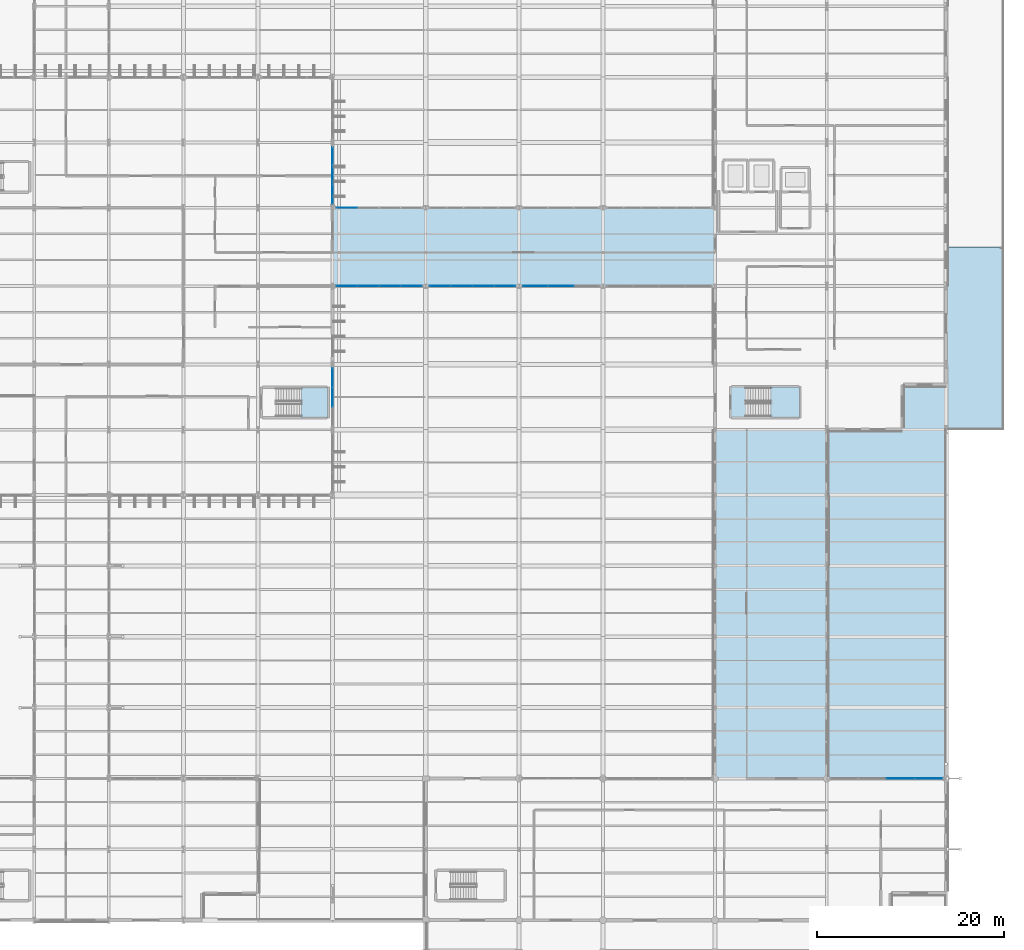
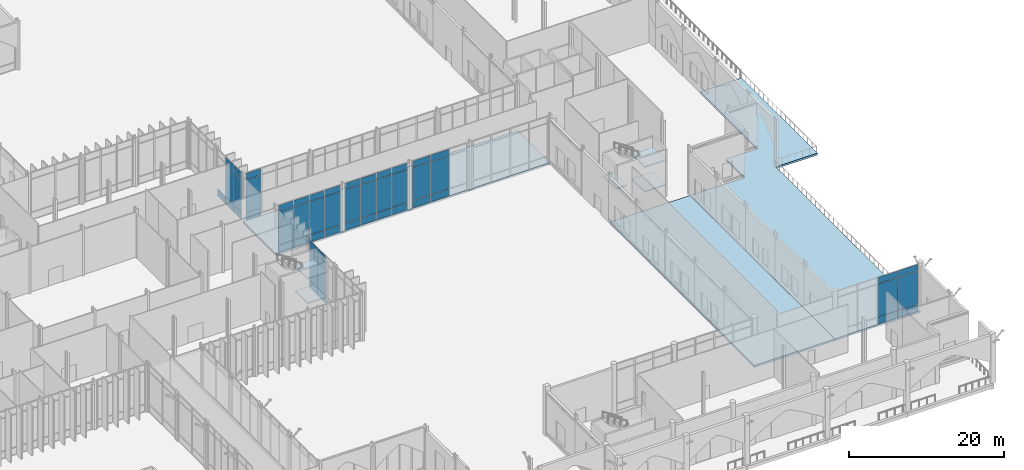
# One storey, part 123 of 176: 52 plates, 8 slabs, 9 elements without a shape of their own.
"""IFC4 building model written with IfcOpenShell, lengths in metres."""

from ifc_helpers import new_model, si_unit, direction, frame, origin, origin_2d, place, context, subcontext, project, spatial, polyline, rectangle, outline, extrude, material, layer, layer_set, type_object, element, aggregate, save


model = new_model("IFC4")

# Units and contexts
model_context = context("Model", 3, precision=1e-05, world=origin(), true_north=direction((0.0, 1.0)))
body_context = subcontext(model_context, "Body", "Model", "MODEL_VIEW")
ifc_project = project(units=[si_unit("LENGTHUNIT", "METRE"), si_unit("AREAUNIT", "SQUARE_METRE"), si_unit("VOLUMEUNIT", "CUBIC_METRE"), si_unit("PLANEANGLEUNIT", "RADIAN"), si_unit("MASSUNIT", "GRAM", prefix="KILO")], contexts=[model_context])

# Site, building, storey
site_placement = place(None, origin())
site = spatial("IfcSite", under=ifc_project, at=site_placement, CompositionType="ELEMENT")
building_placement = place(site_placement, origin())
building = spatial("IfcBuilding", under=site, at=building_placement, Name="Vekula Escarpment Museum", CompositionType="ELEMENT")
storey_placement = place(building_placement, origin())
storey = spatial("IfcBuildingStorey", under=building, at=storey_placement, Name="L01", CompositionType="ELEMENT", Elevation=0.0)

# Curtain wall, plates
ifc_material_1 = material(Name="Aluminium thermally broken framing", Category="aluminium")
ifc_layer_1 = layer(ifc_material_1, 0.159912109375)
ifc_layer_set_1 = layer_set([ifc_layer_1], Name="Aluminium thermally broken framing")
curtain_wall_type_1 = type_object("IfcCurtainWallType", Name="CW-SYS-02", PredefinedType="NOTDEFINED", material=ifc_layer_set_1)
curtain_wall_1_placement = place(storey_placement, origin())
curtain_wall_1 = element("IfcCurtainWall", 1, at=curtain_wall_1_placement, inside=storey, type_object=curtain_wall_type_1, Name="Curtain Wall CW-L01-012", PredefinedType="NOTDEFINED")
ifc_material_2 = material(Name="Double solar-control low-E glass", Category="glass")
ifc_layer_2 = layer(ifc_material_2, 0.028076171875)
ifc_layer_set_2 = layer_set([ifc_layer_2], Name="Double solar-control low-E glass")
plate_type_1 = type_object("IfcPlateType", Name="CW-PNL-28", PredefinedType="CURTAIN_PANEL", material=ifc_layer_set_2)
plate_1_placement = place(storey_placement, frame((127.5361328125, 68.0, 0.06494140625), z_axis=(0.0, 0.0, 1.0), x_axis=(1.0, 0.0, 0.0)))
plate_1 = element("IfcPlate", 2, at=plate_1_placement, type_object=plate_type_1, Name="CW-02 panel 1.1", PredefinedType="CURTAIN_PANEL", context=body_context, shape_type="SweptSolid", body=[
    extrude(rectangle(XDim=2.222412109375, YDim=0.028076171875, at=origin_2d()), origin(), (0.0, 0.0, 1.0), 1.1025390625),
])
plate_2_placement = place(storey_placement, frame((127.5361328125, 68.0, 1.232421875), z_axis=(0.0, 0.0, 1.0), x_axis=(1.0, 0.0, 0.0)))
plate_2 = element("IfcPlate", 3, at=plate_2_placement, type_object=plate_type_1, Name="CW-02 panel 1.2", PredefinedType="CURTAIN_PANEL", context=body_context, shape_type="SweptSolid", body=[
    extrude(rectangle(XDim=2.222412109375, YDim=0.028076171875, at=origin_2d()), origin(), (0.0, 0.0, 1.0), 5.175048828125),
])
plate_3_placement = place(storey_placement, frame((127.5361328125, 68.0, 6.472412109375), z_axis=(0.0, 0.0, 1.0), x_axis=(1.0, 0.0, 0.0)))
plate_3 = element("IfcPlate", 4, at=plate_3_placement, type_object=plate_type_1, Name="CW-02 panel 1.3", PredefinedType="CURTAIN_PANEL", context=body_context, shape_type="SweptSolid", body=[
    extrude(rectangle(XDim=2.222412109375, YDim=0.028076171875, at=origin_2d()), origin(), (0.0, 0.0, 1.0), 1.00244140625),
])
plate_4_placement = place(storey_placement, frame((129.840087890625, 68.0, 0.06494140625), z_axis=(0.0, 0.0, 1.0), x_axis=(1.0, 0.0, 0.0)))
plate_4 = element("IfcPlate", 5, at=plate_4_placement, type_object=plate_type_1, Name="CW-02 panel 2.1", PredefinedType="CURTAIN_PANEL", context=body_context, shape_type="SweptSolid", body=[
    extrude(rectangle(XDim=2.2548828125, YDim=0.028076171875, at=origin_2d()), origin(), (0.0, 0.0, 1.0), 1.1025390625),
])
plate_5_placement = place(storey_placement, frame((129.840087890625, 68.0, 1.232421875), z_axis=(0.0, 0.0, 1.0), x_axis=(1.0, 0.0, 0.0)))
plate_5 = element("IfcPlate", 6, at=plate_5_placement, type_object=plate_type_1, Name="CW-02 panel 2.2", PredefinedType="CURTAIN_PANEL", context=body_context, shape_type="SweptSolid", body=[
    extrude(rectangle(XDim=2.2548828125, YDim=0.028076171875, at=origin_2d()), origin(), (0.0, 0.0, 1.0), 5.175048828125),
])
plate_6_placement = place(storey_placement, frame((129.840087890625, 68.0, 6.472412109375), z_axis=(0.0, 0.0, 1.0), x_axis=(1.0, 0.0, 0.0)))
plate_6 = element("IfcPlate", 7, at=plate_6_placement, type_object=plate_type_1, Name="CW-02 panel 2.3", PredefinedType="CURTAIN_PANEL", context=body_context, shape_type="SweptSolid", body=[
    extrude(rectangle(XDim=2.2548828125, YDim=0.028076171875, at=origin_2d()), origin(), (0.0, 0.0, 1.0), 1.00244140625),
])
plate_7_placement = place(storey_placement, frame((132.159912109375, 68.0, 0.06494140625), z_axis=(0.0, 0.0, 1.0), x_axis=(1.0, 0.0, 0.0)))
plate_7 = element("IfcPlate", 8, at=plate_7_placement, type_object=plate_type_1, Name="CW-02 panel 3.1", PredefinedType="CURTAIN_PANEL", context=body_context, shape_type="SweptSolid", body=[
    extrude(rectangle(XDim=2.2548828125, YDim=0.028076171875, at=origin_2d()), origin(), (0.0, 0.0, 1.0), 1.1025390625),
])
plate_8_placement = place(storey_placement, frame((132.159912109375, 68.0, 1.232421875), z_axis=(0.0, 0.0, 1.0), x_axis=(1.0, 0.0, 0.0)))
plate_8 = element("IfcPlate", 9, at=plate_8_placement, type_object=plate_type_1, Name="CW-02 panel 3.2", PredefinedType="CURTAIN_PANEL", context=body_context, shape_type="SweptSolid", body=[
    extrude(rectangle(XDim=2.2548828125, YDim=0.028076171875, at=origin_2d()), origin(), (0.0, 0.0, 1.0), 5.175048828125),
])
plate_9_placement = place(storey_placement, frame((132.159912109375, 68.0, 6.472412109375), z_axis=(0.0, 0.0, 1.0), x_axis=(1.0, 0.0, 0.0)))
plate_9 = element("IfcPlate", 10, at=plate_9_placement, type_object=plate_type_1, Name="CW-02 panel 3.3", PredefinedType="CURTAIN_PANEL", context=body_context, shape_type="SweptSolid", body=[
    extrude(rectangle(XDim=2.2548828125, YDim=0.028076171875, at=origin_2d()), origin(), (0.0, 0.0, 1.0), 1.00244140625),
])
plate_10_placement = place(storey_placement, frame((134.4638671875, 68.0, 0.06494140625), z_axis=(0.0, 0.0, 1.0), x_axis=(1.0, 0.0, 0.0)))
plate_10 = element("IfcPlate", 11, at=plate_10_placement, type_object=plate_type_1, Name="CW-02 panel 4.1", PredefinedType="CURTAIN_PANEL", context=body_context, shape_type="SweptSolid", body=[
    extrude(rectangle(XDim=2.222412109375, YDim=0.028076171875, at=origin_2d()), origin(), (0.0, 0.0, 1.0), 1.1025390625),
])
plate_11_placement = place(storey_placement, frame((134.4638671875, 68.0, 1.232421875), z_axis=(0.0, 0.0, 1.0), x_axis=(1.0, 0.0, 0.0)))
plate_11 = element("IfcPlate", 12, at=plate_11_placement, type_object=plate_type_1, Name="CW-02 panel 4.2", PredefinedType="CURTAIN_PANEL", context=body_context, shape_type="SweptSolid", body=[
    extrude(rectangle(XDim=2.222412109375, YDim=0.028076171875, at=origin_2d()), origin(), (0.0, 0.0, 1.0), 5.175048828125),
])
plate_12_placement = place(storey_placement, frame((134.4638671875, 68.0, 6.472412109375), z_axis=(0.0, 0.0, 1.0), x_axis=(1.0, 0.0, 0.0)))
plate_12 = element("IfcPlate", 13, at=plate_12_placement, type_object=plate_type_1, Name="CW-02 panel 4.3", PredefinedType="CURTAIN_PANEL", context=body_context, shape_type="SweptSolid", body=[
    extrude(rectangle(XDim=2.222412109375, YDim=0.028076171875, at=origin_2d()), origin(), (0.0, 0.0, 1.0), 1.00244140625),
])
aggregate(curtain_wall_1, [plate_1, plate_2, plate_3, plate_4, plate_5, plate_6, plate_7, plate_8, plate_9, plate_10, plate_11, plate_12])

ifc_material_3 = material(Name="Aluminium thermally broken framing", Category="aluminium")
ifc_layer_3 = layer(ifc_material_3, 0.199951171875)
ifc_layer_set_3 = layer_set([ifc_layer_3], Name="Aluminium thermally broken framing")
curtain_wall_type_2 = type_object("IfcCurtainWallType", Name="CW-SYS-03", PredefinedType="NOTDEFINED", material=ifc_layer_set_3)
curtain_wall_2_placement = place(storey_placement, origin())
curtain_wall_2 = element("IfcCurtainWall", 14, at=curtain_wall_2_placement, inside=storey, type_object=curtain_wall_type_2, Name="Curtain Wall CW-L01-013", PredefinedType="NOTDEFINED")
ifc_material_4 = material(Name="Acoustic laminated double low-E glass", Category="glass")
ifc_layer_4 = layer(ifc_material_4, 0.031982421875)
ifc_layer_set_4 = layer_set([ifc_layer_4], Name="Acoustic laminated double low-E glass")
plate_type_2 = type_object("IfcPlateType", Name="CW-PNL-32", PredefinedType="CURTAIN_PANEL", material=ifc_layer_set_4)
plate_13_placement = place(storey_placement, frame((137.5361328125, 68.0, 0.06494140625), z_axis=(0.0, 0.0, 1.0), x_axis=(1.0, 0.0, 0.0)))
plate_13 = element("IfcPlate", 15, at=plate_13_placement, type_object=plate_type_2, Name="CW-03 panel 1.1", PredefinedType="CURTAIN_PANEL", context=body_context, shape_type="SweptSolid", body=[
    extrude(rectangle(XDim=2.222412109375, YDim=0.031982421875, at=origin_2d()), origin(), (0.0, 0.0, 1.0), 1.1025390625),
])
plate_14_placement = place(storey_placement, frame((137.5361328125, 68.0, 1.232421875), z_axis=(0.0, 0.0, 1.0), x_axis=(1.0, 0.0, 0.0)))
plate_14 = element("IfcPlate", 16, at=plate_14_placement, type_object=plate_type_2, Name="CW-03 panel 1.2", PredefinedType="CURTAIN_PANEL", context=body_context, shape_type="SweptSolid", body=[
    extrude(rectangle(XDim=2.222412109375, YDim=0.031982421875, at=origin_2d()), origin(), (0.0, 0.0, 1.0), 5.175048828125),
])
plate_15_placement = place(storey_placement, frame((137.5361328125, 68.0, 6.472412109375), z_axis=(0.0, 0.0, 1.0), x_axis=(1.0, 0.0, 0.0)))
plate_15 = element("IfcPlate", 17, at=plate_15_placement, type_object=plate_type_2, Name="CW-03 panel 1.3", PredefinedType="CURTAIN_PANEL", context=body_context, shape_type="SweptSolid", body=[
    extrude(rectangle(XDim=2.222412109375, YDim=0.031982421875, at=origin_2d()), origin(), (0.0, 0.0, 1.0), 1.00244140625),
])
plate_16_placement = place(storey_placement, frame((139.840087890625, 68.0, 0.06494140625), z_axis=(0.0, 0.0, 1.0), x_axis=(1.0, 0.0, 0.0)))
plate_16 = element("IfcPlate", 18, at=plate_16_placement, type_object=plate_type_2, Name="CW-03 panel 2.1", PredefinedType="CURTAIN_PANEL", context=body_context, shape_type="SweptSolid", body=[
    extrude(rectangle(XDim=2.2548828125, YDim=0.031982421875, at=origin_2d()), origin(), (0.0, 0.0, 1.0), 1.1025390625),
])
plate_17_placement = place(storey_placement, frame((139.840087890625, 68.0, 1.232421875), z_axis=(0.0, 0.0, 1.0), x_axis=(1.0, 0.0, 0.0)))
plate_17 = element("IfcPlate", 19, at=plate_17_placement, type_object=plate_type_2, Name="CW-03 panel 2.2", PredefinedType="CURTAIN_PANEL", context=body_context, shape_type="SweptSolid", body=[
    extrude(rectangle(XDim=2.2548828125, YDim=0.031982421875, at=origin_2d()), origin(), (0.0, 0.0, 1.0), 5.175048828125),
])
plate_18_placement = place(storey_placement, frame((139.840087890625, 68.0, 6.472412109375), z_axis=(0.0, 0.0, 1.0), x_axis=(1.0, 0.0, 0.0)))
plate_18 = element("IfcPlate", 20, at=plate_18_placement, type_object=plate_type_2, Name="CW-03 panel 2.3", PredefinedType="CURTAIN_PANEL", context=body_context, shape_type="SweptSolid", body=[
    extrude(rectangle(XDim=2.2548828125, YDim=0.031982421875, at=origin_2d()), origin(), (0.0, 0.0, 1.0), 1.00244140625),
])
plate_19_placement = place(storey_placement, frame((142.159912109375, 68.0, 0.06494140625), z_axis=(0.0, 0.0, 1.0), x_axis=(1.0, 0.0, 0.0)))
plate_19 = element("IfcPlate", 21, at=plate_19_placement, type_object=plate_type_2, Name="CW-03 panel 3.1", PredefinedType="CURTAIN_PANEL", context=body_context, shape_type="SweptSolid", body=[
    extrude(rectangle(XDim=2.2548828125, YDim=0.031982421875, at=origin_2d()), origin(), (0.0, 0.0, 1.0), 1.1025390625),
])
plate_20_placement = place(storey_placement, frame((142.159912109375, 68.0, 1.232421875), z_axis=(0.0, 0.0, 1.0), x_axis=(1.0, 0.0, 0.0)))
plate_20 = element("IfcPlate", 22, at=plate_20_placement, type_object=plate_type_2, Name="CW-03 panel 3.2", PredefinedType="CURTAIN_PANEL", context=body_context, shape_type="SweptSolid", body=[
    extrude(rectangle(XDim=2.2548828125, YDim=0.031982421875, at=origin_2d()), origin(), (0.0, 0.0, 1.0), 5.175048828125),
])
plate_21_placement = place(storey_placement, frame((142.159912109375, 68.0, 6.472412109375), z_axis=(0.0, 0.0, 1.0), x_axis=(1.0, 0.0, 0.0)))
plate_21 = element("IfcPlate", 23, at=plate_21_placement, type_object=plate_type_2, Name="CW-03 panel 3.3", PredefinedType="CURTAIN_PANEL", context=body_context, shape_type="SweptSolid", body=[
    extrude(rectangle(XDim=2.2548828125, YDim=0.031982421875, at=origin_2d()), origin(), (0.0, 0.0, 1.0), 1.00244140625),
])
plate_22_placement = place(storey_placement, frame((144.4638671875, 68.0, 0.06494140625), z_axis=(0.0, 0.0, 1.0), x_axis=(1.0, 0.0, 0.0)))
plate_22 = element("IfcPlate", 24, at=plate_22_placement, type_object=plate_type_2, Name="CW-03 panel 4.1", PredefinedType="CURTAIN_PANEL", context=body_context, shape_type="SweptSolid", body=[
    extrude(rectangle(XDim=2.222412109375, YDim=0.031982421875, at=origin_2d()), origin(), (0.0, 0.0, 1.0), 1.1025390625),
])
plate_23_placement = place(storey_placement, frame((144.4638671875, 68.0, 1.232421875), z_axis=(0.0, 0.0, 1.0), x_axis=(1.0, 0.0, 0.0)))
plate_23 = element("IfcPlate", 25, at=plate_23_placement, type_object=plate_type_2, Name="CW-03 panel 4.2", PredefinedType="CURTAIN_PANEL", context=body_context, shape_type="SweptSolid", body=[
    extrude(rectangle(XDim=2.222412109375, YDim=0.031982421875, at=origin_2d()), origin(), (0.0, 0.0, 1.0), 5.175048828125),
])
plate_24_placement = place(storey_placement, frame((144.4638671875, 68.0, 6.472412109375), z_axis=(0.0, 0.0, 1.0), x_axis=(1.0, 0.0, 0.0)))
plate_24 = element("IfcPlate", 26, at=plate_24_placement, type_object=plate_type_2, Name="CW-03 panel 4.3", PredefinedType="CURTAIN_PANEL", context=body_context, shape_type="SweptSolid", body=[
    extrude(rectangle(XDim=2.222412109375, YDim=0.031982421875, at=origin_2d()), origin(), (0.0, 0.0, 1.0), 1.00244140625),
])
aggregate(curtain_wall_2, [plate_13, plate_14, plate_15, plate_16, plate_17, plate_18, plate_19, plate_20, plate_21, plate_22, plate_23, plate_24])

ifc_material_5 = material(Name="Aluminium thermally broken framing", Category="aluminium")
ifc_layer_5 = layer(ifc_material_5, 0.199951171875)
ifc_layer_set_5 = layer_set([ifc_layer_5], Name="Aluminium thermally broken framing")
curtain_wall_type_3 = type_object("IfcCurtainWallType", Name="CW-SYS-04", PredefinedType="NOTDEFINED", material=ifc_layer_set_5)
curtain_wall_3_placement = place(storey_placement, origin())
curtain_wall_3 = element("IfcCurtainWall", 27, at=curtain_wall_3_placement, inside=storey, type_object=curtain_wall_type_3, Name="Curtain Wall CW-L01-014", PredefinedType="NOTDEFINED")
ifc_material_6 = material(Name="Triple UV-filtered museum gallery glass", Category="glass")
ifc_layer_6 = layer(ifc_material_6, 0.035888671875)
ifc_layer_set_6 = layer_set([ifc_layer_6], Name="Triple UV-filtered museum gallery glass")
plate_type_3 = type_object("IfcPlateType", Name="CW-PNL-36", PredefinedType="CURTAIN_PANEL", material=ifc_layer_set_6)
plate_25_placement = place(storey_placement, frame((147.75634765625, 68.0, 0.06494140625), z_axis=(0.0, 0.0, 1.0), x_axis=(1.0, 0.0, 0.0)))
plate_25 = element("IfcPlate", 28, at=plate_25_placement, type_object=plate_type_3, Name="CW-04 panel 1.1", PredefinedType="CURTAIN_PANEL", context=body_context, shape_type="SweptSolid", body=[
    extrude(rectangle(XDim=2.66259765625, YDim=0.035888671875, at=origin_2d()), origin(), (0.0, 0.0, 1.0), 1.1025390625),
])
plate_26_placement = place(storey_placement, frame((147.75634765625, 68.0, 1.232421875), z_axis=(0.0, 0.0, 1.0), x_axis=(1.0, 0.0, 0.0)))
plate_26 = element("IfcPlate", 29, at=plate_26_placement, type_object=plate_type_3, Name="CW-04 panel 1.2", PredefinedType="CURTAIN_PANEL", context=body_context, shape_type="SweptSolid", body=[
    extrude(rectangle(XDim=2.66259765625, YDim=0.035888671875, at=origin_2d()), origin(), (0.0, 0.0, 1.0), 5.175048828125),
])
plate_27_placement = place(storey_placement, frame((147.75634765625, 68.0, 6.472412109375), z_axis=(0.0, 0.0, 1.0), x_axis=(1.0, 0.0, 0.0)))
plate_27 = element("IfcPlate", 30, at=plate_27_placement, type_object=plate_type_3, Name="CW-04 panel 1.3", PredefinedType="CURTAIN_PANEL", context=body_context, shape_type="SweptSolid", body=[
    extrude(rectangle(XDim=2.66259765625, YDim=0.035888671875, at=origin_2d()), origin(), (0.0, 0.0, 1.0), 1.00244140625),
])
plate_28_placement = place(storey_placement, frame((150.5, 68.0, 0.06494140625), z_axis=(0.0, 0.0, 1.0), x_axis=(1.0, 0.0, 0.0)))
plate_28 = element("IfcPlate", 31, at=plate_28_placement, type_object=plate_type_3, Name="CW-04 panel 2.1", PredefinedType="CURTAIN_PANEL", context=body_context, shape_type="SweptSolid", body=[
    extrude(rectangle(XDim=2.695068359375, YDim=0.035888671875, at=origin_2d()), origin(), (0.0, 0.0, 1.0), 1.1025390625),
])
plate_29_placement = place(storey_placement, frame((150.5, 68.0, 1.232421875), z_axis=(0.0, 0.0, 1.0), x_axis=(1.0, 0.0, 0.0)))
plate_29 = element("IfcPlate", 32, at=plate_29_placement, type_object=plate_type_3, Name="CW-04 panel 2.2", PredefinedType="CURTAIN_PANEL", context=body_context, shape_type="SweptSolid", body=[
    extrude(rectangle(XDim=2.695068359375, YDim=0.035888671875, at=origin_2d()), origin(), (0.0, 0.0, 1.0), 5.175048828125),
])
plate_30_placement = place(storey_placement, frame((150.5, 68.0, 6.472412109375), z_axis=(0.0, 0.0, 1.0), x_axis=(1.0, 0.0, 0.0)))
plate_30 = element("IfcPlate", 33, at=plate_30_placement, type_object=plate_type_3, Name="CW-04 panel 2.3", PredefinedType="CURTAIN_PANEL", context=body_context, shape_type="SweptSolid", body=[
    extrude(rectangle(XDim=2.695068359375, YDim=0.035888671875, at=origin_2d()), origin(), (0.0, 0.0, 1.0), 1.00244140625),
])
aggregate(curtain_wall_3, [plate_25, plate_26, plate_27, plate_28, plate_29, plate_30])

ifc_material_7 = material(Name="Aluminium thermally broken framing", Category="aluminium")
ifc_layer_7 = layer(ifc_material_7, 0.179931640625)
ifc_layer_set_7 = layer_set([ifc_layer_7], Name="Aluminium thermally broken framing")
curtain_wall_type_4 = type_object("IfcCurtainWallType", Name="CW-SYS-08", PredefinedType="NOTDEFINED", material=ifc_layer_set_7)
curtain_wall_4_placement = place(storey_placement, origin())
curtain_wall_4 = element("IfcCurtainWall", 34, at=curtain_wall_4_placement, inside=storey, type_object=curtain_wall_type_4, Name="Curtain Wall CW-L01-018", PredefinedType="NOTDEFINED")
plate_31_placement = place(storey_placement, frame((189.913818359375, 15.199951171875, 0.06494140625), z_axis=(0.0, 0.0, 1.0), x_axis=(-1.0, 0.0, 0.0)))
plate_31 = element("IfcPlate", 35, at=plate_31_placement, type_object=plate_type_3, Name="CW-08 panel 1.1", PredefinedType="CURTAIN_PANEL", context=body_context, shape_type="SweptSolid", body=[
    extrude(rectangle(XDim=2.922607421875, YDim=0.035888671875, at=origin_2d()), origin(), (0.0, 0.0, 1.0), 1.1025390625),
])
plate_32_placement = place(storey_placement, frame((189.913818359375, 15.199951171875, 1.232421875), z_axis=(0.0, 0.0, 1.0), x_axis=(-1.0, 0.0, 0.0)))
plate_32 = element("IfcPlate", 36, at=plate_32_placement, type_object=plate_type_3, Name="CW-08 panel 1.2", PredefinedType="CURTAIN_PANEL", context=body_context, shape_type="SweptSolid", body=[
    extrude(rectangle(XDim=2.922607421875, YDim=0.035888671875, at=origin_2d()), origin(), (0.0, 0.0, 1.0), 5.175048828125),
])
plate_33_placement = place(storey_placement, frame((189.913818359375, 15.199951171875, 6.472412109375), z_axis=(0.0, 0.0, 1.0), x_axis=(-1.0, 0.0, 0.0)))
plate_33 = element("IfcPlate", 37, at=plate_33_placement, type_object=plate_type_3, Name="CW-08 panel 1.3", PredefinedType="CURTAIN_PANEL", context=body_context, shape_type="SweptSolid", body=[
    extrude(rectangle(XDim=2.922607421875, YDim=0.035888671875, at=origin_2d()), origin(), (0.0, 0.0, 1.0), 1.00244140625),
])
plate_34_placement = place(storey_placement, frame((186.909912109375, 15.199951171875, 0.06494140625), z_axis=(0.0, 0.0, 1.0), x_axis=(-1.0, 0.0, 0.0)))
plate_34 = element("IfcPlate", 38, at=plate_34_placement, type_object=plate_type_3, Name="CW-08 panel 2.1", PredefinedType="CURTAIN_PANEL", context=body_context, shape_type="SweptSolid", body=[
    extrude(rectangle(XDim=2.955078125, YDim=0.035888671875, at=origin_2d()), origin(), (0.0, 0.0, 1.0), 1.1025390625),
])
plate_35_placement = place(storey_placement, frame((186.909912109375, 15.199951171875, 1.232421875), z_axis=(0.0, 0.0, 1.0), x_axis=(-1.0, 0.0, 0.0)))
plate_35 = element("IfcPlate", 39, at=plate_35_placement, type_object=plate_type_3, Name="CW-08 panel 2.2", PredefinedType="CURTAIN_PANEL", context=body_context, shape_type="SweptSolid", body=[
    extrude(rectangle(XDim=2.955078125, YDim=0.035888671875, at=origin_2d()), origin(), (0.0, 0.0, 1.0), 5.175048828125),
])
plate_36_placement = place(storey_placement, frame((186.909912109375, 15.199951171875, 6.472412109375), z_axis=(0.0, 0.0, 1.0), x_axis=(-1.0, 0.0, 0.0)))
plate_36 = element("IfcPlate", 40, at=plate_36_placement, type_object=plate_type_3, Name="CW-08 panel 2.3", PredefinedType="CURTAIN_PANEL", context=body_context, shape_type="SweptSolid", body=[
    extrude(rectangle(XDim=2.955078125, YDim=0.035888671875, at=origin_2d()), origin(), (0.0, 0.0, 1.0), 1.00244140625),
])
aggregate(curtain_wall_4, [plate_31, plate_32, plate_33, plate_34, plate_35, plate_36])

curtain_wall_5_placement = place(storey_placement, origin())
curtain_wall_5 = element("IfcCurtainWall", 41, at=curtain_wall_5_placement, inside=storey, type_object=curtain_wall_type_1, Name="Curtain Wall CW-L01-022", PredefinedType="NOTDEFINED")
plate_37_placement = place(storey_placement, frame((127.5361328125, 76.39990234375, 0.06494140625), z_axis=(0.0, 0.0, 1.0), x_axis=(-1.0, 0.0, 0.0)))
plate_37 = element("IfcPlate", 42, at=plate_37_placement, type_object=plate_type_3, Name="CW-02 panel 4.1", PredefinedType="CURTAIN_PANEL", context=body_context, shape_type="SweptSolid", body=[
    extrude(rectangle(XDim=2.222412109375, YDim=0.035888671875, at=origin_2d()), origin(), (0.0, 0.0, 1.0), 1.1025390625),
])
plate_38_placement = place(storey_placement, frame((127.5361328125, 76.39990234375, 1.232421875), z_axis=(0.0, 0.0, 1.0), x_axis=(-1.0, 0.0, 0.0)))
plate_38 = element("IfcPlate", 43, at=plate_38_placement, type_object=plate_type_3, Name="CW-02 panel 4.2", PredefinedType="CURTAIN_PANEL", context=body_context, shape_type="SweptSolid", body=[
    extrude(rectangle(XDim=2.222412109375, YDim=0.035888671875, at=origin_2d()), origin(), (0.0, 0.0, 1.0), 5.175048828125),
])
plate_39_placement = place(storey_placement, frame((127.5361328125, 76.39990234375, 6.472412109375), z_axis=(0.0, 0.0, 1.0), x_axis=(-1.0, 0.0, 0.0)))
plate_39 = element("IfcPlate", 44, at=plate_39_placement, type_object=plate_type_3, Name="CW-02 panel 4.3", PredefinedType="CURTAIN_PANEL", context=body_context, shape_type="SweptSolid", body=[
    extrude(rectangle(XDim=2.222412109375, YDim=0.035888671875, at=origin_2d()), origin(), (0.0, 0.0, 1.0), 1.00244140625),
])
aggregate(curtain_wall_5, [plate_37, plate_38, plate_39])

ifc_material_8 = material(Name="Aluminium thermally broken framing", Category="aluminium")
ifc_layer_8 = layer(ifc_material_8, 0.159912109375)
ifc_layer_set_8 = layer_set([ifc_layer_8], Name="Aluminium thermally broken framing")
curtain_wall_type_5 = type_object("IfcCurtainWallType", Name="CW-SYS-01", PredefinedType="NOTDEFINED", material=ifc_layer_set_8)
curtain_wall_6_placement = place(storey_placement, origin())
curtain_wall_6 = element("IfcCurtainWall", 45, at=curtain_wall_6_placement, inside=storey, type_object=curtain_wall_type_5, Name="Curtain Wall CW-L01-011", PredefinedType="NOTDEFINED")
ifc_material_9 = material(Name="Insulated bronze spandrel glass panel", Category="glass")
ifc_layer_9 = layer(ifc_material_9, 0.0400390625)
ifc_layer_set_9 = layer_set([ifc_layer_9], Name="Insulated bronze spandrel glass panel")
plate_type_4 = type_object("IfcPlateType", Name="CW-PNL-40", PredefinedType="CURTAIN_PANEL", material=ifc_layer_set_9)
plate_40_placement = place(storey_placement, frame((126.0, 56.10009765625, 0.06494140625), z_axis=(0.0, 0.0, 1.0), x_axis=(0.0, 1.0, 0.0)))
plate_40 = element("IfcPlate", 46, at=plate_40_placement, type_object=plate_type_4, Name="CW-01 panel 2.1", PredefinedType="CURTAIN_PANEL", context=body_context, shape_type="SweptSolid", body=[
    extrude(rectangle(XDim=2.0283203125, YDim=0.0400390625, at=origin_2d()), origin(), (0.0, 0.0, 1.0), 1.1025390625),
])
plate_41_placement = place(storey_placement, frame((126.0, 56.10009765625, 1.232421875), z_axis=(0.0, 0.0, 1.0), x_axis=(0.0, 1.0, 0.0)))
plate_41 = element("IfcPlate", 47, at=plate_41_placement, type_object=plate_type_4, Name="CW-01 panel 2.2", PredefinedType="CURTAIN_PANEL", context=body_context, shape_type="SweptSolid", body=[
    extrude(rectangle(XDim=2.0283203125, YDim=0.0400390625, at=origin_2d()), origin(), (0.0, 0.0, 1.0), 5.175048828125),
])
plate_42_placement = place(storey_placement, frame((126.0, 56.10009765625, 6.472412109375), z_axis=(0.0, 0.0, 1.0), x_axis=(0.0, 1.0, 0.0)))
plate_42 = element("IfcPlate", 48, at=plate_42_placement, type_object=plate_type_4, Name="CW-01 panel 2.3", PredefinedType="CURTAIN_PANEL", context=body_context, shape_type="SweptSolid", body=[
    extrude(rectangle(XDim=2.0283203125, YDim=0.0400390625, at=origin_2d()), origin(), (0.0, 0.0, 1.0), 1.00244140625),
])
plate_43_placement = place(storey_placement, frame((126.0, 58.177001953125, 0.06494140625), z_axis=(0.0, 0.0, 1.0), x_axis=(0.0, 1.0, 0.0)))
plate_43 = element("IfcPlate", 49, at=plate_43_placement, type_object=plate_type_4, Name="CW-01 panel 3.1", PredefinedType="CURTAIN_PANEL", context=body_context, shape_type="SweptSolid", body=[
    extrude(rectangle(XDim=1.995849609375, YDim=0.0400390625, at=origin_2d()), origin(), (0.0, 0.0, 1.0), 1.1025390625),
])
plate_44_placement = place(storey_placement, frame((126.0, 58.177001953125, 1.232421875), z_axis=(0.0, 0.0, 1.0), x_axis=(0.0, 1.0, 0.0)))
plate_44 = element("IfcPlate", 50, at=plate_44_placement, type_object=plate_type_4, Name="CW-01 panel 3.2", PredefinedType="CURTAIN_PANEL", context=body_context, shape_type="SweptSolid", body=[
    extrude(rectangle(XDim=1.995849609375, YDim=0.0400390625, at=origin_2d()), origin(), (0.0, 0.0, 1.0), 5.175048828125),
])
plate_45_placement = place(storey_placement, frame((126.0, 58.177001953125, 6.472412109375), z_axis=(0.0, 0.0, 1.0), x_axis=(0.0, 1.0, 0.0)))
plate_45 = element("IfcPlate", 51, at=plate_45_placement, type_object=plate_type_4, Name="CW-01 panel 3.3", PredefinedType="CURTAIN_PANEL", context=body_context, shape_type="SweptSolid", body=[
    extrude(rectangle(XDim=1.995849609375, YDim=0.0400390625, at=origin_2d()), origin(), (0.0, 0.0, 1.0), 1.00244140625),
])
aggregate(curtain_wall_6, [plate_40, plate_41, plate_42, plate_43, plate_44, plate_45])

curtain_wall_7_placement = place(storey_placement, origin())
curtain_wall_7 = element("IfcCurtainWall", 52, at=curtain_wall_7_placement, inside=storey, type_object=curtain_wall_type_2, Name="Curtain Wall CW-L01-023", PredefinedType="NOTDEFINED")
plate_46_placement = place(storey_placement, frame((126.0, 77.822998046875, 0.06494140625), z_axis=(0.0, 0.0, 1.0), x_axis=(0.0, 1.0, 0.0)))
plate_46 = element("IfcPlate", 53, at=plate_46_placement, type_object=plate_type_4, Name="CW-03 panel 1.1", PredefinedType="CURTAIN_PANEL", context=body_context, shape_type="SweptSolid", body=[
    extrude(rectangle(XDim=1.995849609375, YDim=0.0400390625, at=origin_2d()), origin(), (0.0, 0.0, 1.0), 1.1025390625),
])
plate_47_placement = place(storey_placement, frame((126.0, 77.822998046875, 1.232421875), z_axis=(0.0, 0.0, 1.0), x_axis=(0.0, 1.0, 0.0)))
plate_47 = element("IfcPlate", 54, at=plate_47_placement, type_object=plate_type_4, Name="CW-03 panel 1.2", PredefinedType="CURTAIN_PANEL", context=body_context, shape_type="SweptSolid", body=[
    extrude(rectangle(XDim=1.995849609375, YDim=0.0400390625, at=origin_2d()), origin(), (0.0, 0.0, 1.0), 5.175048828125),
])
plate_48_placement = place(storey_placement, frame((126.0, 77.822998046875, 6.472412109375), z_axis=(0.0, 0.0, 1.0), x_axis=(0.0, 1.0, 0.0)))
plate_48 = element("IfcPlate", 55, at=plate_48_placement, type_object=plate_type_4, Name="CW-03 panel 1.3", PredefinedType="CURTAIN_PANEL", context=body_context, shape_type="SweptSolid", body=[
    extrude(rectangle(XDim=1.995849609375, YDim=0.0400390625, at=origin_2d()), origin(), (0.0, 0.0, 1.0), 1.00244140625),
])
plate_49_placement = place(storey_placement, frame((126.0, 79.89990234375, 0.06494140625), z_axis=(0.0, 0.0, 1.0), x_axis=(0.0, 1.0, 0.0)))
plate_49 = element("IfcPlate", 56, at=plate_49_placement, type_object=plate_type_4, Name="CW-03 panel 2.1", PredefinedType="CURTAIN_PANEL", context=body_context, shape_type="SweptSolid", body=[
    extrude(rectangle(XDim=2.0283203125, YDim=0.0400390625, at=origin_2d()), origin(), (0.0, 0.0, 1.0), 1.1025390625),
])
plate_50_placement = place(storey_placement, frame((126.0, 79.89990234375, 1.232421875), z_axis=(0.0, 0.0, 1.0), x_axis=(0.0, 1.0, 0.0)))
plate_50 = element("IfcPlate", 57, at=plate_50_placement, type_object=plate_type_4, Name="CW-03 panel 2.2", PredefinedType="CURTAIN_PANEL", context=body_context, shape_type="SweptSolid", body=[
    extrude(rectangle(XDim=2.0283203125, YDim=0.0400390625, at=origin_2d()), origin(), (0.0, 0.0, 1.0), 5.175048828125),
])
plate_51_placement = place(storey_placement, frame((126.0, 79.89990234375, 6.472412109375), z_axis=(0.0, 0.0, 1.0), x_axis=(0.0, 1.0, 0.0)))
plate_51 = element("IfcPlate", 58, at=plate_51_placement, type_object=plate_type_4, Name="CW-03 panel 2.3", PredefinedType="CURTAIN_PANEL", context=body_context, shape_type="SweptSolid", body=[
    extrude(rectangle(XDim=2.0283203125, YDim=0.0400390625, at=origin_2d()), origin(), (0.0, 0.0, 1.0), 1.00244140625),
])
plate_52_placement = place(storey_placement, frame((126.0, 81.97705078125, 0.06494140625), z_axis=(0.0, 0.0, 1.0), x_axis=(0.0, 1.0, 0.0)))
plate_52 = element("IfcPlate", 59, at=plate_52_placement, type_object=plate_type_4, Name="CW-03 panel 3.1", PredefinedType="CURTAIN_PANEL", context=body_context, shape_type="SweptSolid", body=[
    extrude(rectangle(XDim=1.995849609375, YDim=0.0400390625, at=origin_2d()), origin(), (0.0, 0.0, 1.0), 1.1025390625),
])
aggregate(curtain_wall_7, [plate_46, plate_47, plate_48, plate_49, plate_50, plate_51, plate_52])

# Slabs
ifc_material_10 = material(Name="Concrete C35/45", Category="concrete")
ifc_layer_10 = layer(ifc_material_10, 0.300048828125)
ifc_layer_set_10 = layer_set([ifc_layer_10], Name="Concrete C35/45")
slab_type_1 = type_object("IfcSlabType", Name="SL-FLR-300", PredefinedType="FLOOR", material=ifc_layer_set_10)
slab_1_placement = place(storey_placement, frame((0.0, 0.0, -0.300048828125)))
element("IfcSlab", 60, at=slab_1_placement, inside=storey, type_object=slab_type_1, Name="Floor Slab W-L01-V3-ELK", PredefinedType="FLOOR", context=body_context, shape_type="SweptSolid", body=[
    extrude(outline(polyline([(126.0, 68.0), (167.0, 68.0), (167.0, 76.39990234375), (126.0, 76.39990234375), (126.0, 68.0)])), origin(), (0.0, 0.0, 1.0), 0.300048828125),
])
slab_2_placement = place(storey_placement, frame((0.0, 0.0, -0.300048828125)))
element("IfcSlab", 61, at=slab_2_placement, inside=storey, type_object=slab_type_1, Name="Floor Slab W-L01-V4-ELK", PredefinedType="FLOOR", context=body_context, shape_type="SweptSolid", body=[
    extrude(outline(polyline([(167.0, 15.199951171875), (179.0, 15.199951171875), (179.0, 52.60009765625), (167.0, 52.60009765625), (167.0, 15.199951171875)])), origin(), (0.0, 0.0, 1.0), 0.300048828125),
])

# Stair, slabs
ifc_material_11 = material(Name="Concrete C35/45", Category="concrete")
stair_type_1 = type_object("IfcStairType", Name="STR-TYPE-145", PredefinedType="HALF_TURN_STAIR", material=ifc_material_11)
stair_1_placement = place(storey_placement, origin())
stair_1 = element("IfcStair", 62, at=stair_1_placement, inside=storey, type_object=stair_type_1, Name="L01 East Gallery Exit Stair ST-02", PredefinedType="HALF_TURN_STAIR")
ifc_material_12 = material(Name="Concrete C35/45", Category="concrete")
ifc_layer_11 = layer(ifc_material_12, 0.199951171875)
ifc_layer_set_11 = layer_set([ifc_layer_11], Name="Concrete C35/45")
slab_type_2 = type_object("IfcSlabType", Name="SL-LAND-200", PredefinedType="LANDING", material=ifc_layer_set_11)
slab_3_placement = place(storey_placement, frame((0.0, 0.0, 1.75)))
slab_3 = element("IfcSlab", 63, at=slab_3_placement, type_object=slab_type_2, Name="ST-02 landing 1", PredefinedType="LANDING", context=body_context, shape_type="SweptSolid", body=[
    extrude(outline(polyline([(172.9599609375, 53.909912109375), (176.090087890625, 53.909912109375), (176.090087890625, 57.18994140625), (172.9599609375, 57.18994140625), (172.9599609375, 53.909912109375)])), origin(), (0.0, 0.0, 1.0), 0.199951171875),
])
slab_4_placement = place(storey_placement, frame((0.0, 0.0, 3.699951171875)))
slab_4 = element("IfcSlab", 64, at=slab_4_placement, type_object=slab_type_2, Name="ST-02 landing 2", PredefinedType="LANDING", context=body_context, shape_type="SweptSolid", body=[
    extrude(outline(polyline([(168.7099609375, 53.909912109375), (170.340087890625, 53.909912109375), (170.340087890625, 57.18994140625), (168.7099609375, 57.18994140625), (168.7099609375, 53.909912109375)])), origin(), (0.0, 0.0, 1.0), 0.199951171875),
])
slab_5_placement = place(storey_placement, frame((0.0, 0.0, 5.64990234375)))
slab_5 = element("IfcSlab", 65, at=slab_5_placement, type_object=slab_type_2, Name="ST-02 landing 3", PredefinedType="LANDING", context=body_context, shape_type="SweptSolid", body=[
    extrude(outline(polyline([(172.9599609375, 53.909912109375), (176.090087890625, 53.909912109375), (176.090087890625, 57.18994140625), (172.9599609375, 57.18994140625), (172.9599609375, 53.909912109375)])), origin(), (0.0, 0.0, 1.0), 0.2001953125),
])
aggregate(stair_1, [slab_3, slab_4, slab_5])

ifc_material_13 = material(Name="Concrete C35/45", Category="concrete")
stair_type_2 = type_object("IfcStairType", Name="STR-TYPE-142", PredefinedType="HALF_TURN_STAIR", material=ifc_material_13)
stair_2_placement = place(storey_placement, origin())
stair_2 = element("IfcStair", 66, at=stair_2_placement, inside=storey, type_object=stair_type_2, Name="L01 Great Hall East Exit Stair ST-08", PredefinedType="HALF_TURN_STAIR")
slab_6_placement = place(storey_placement, frame((0.0, 0.0, 1.75)))
slab_6 = element("IfcSlab", 67, at=slab_6_placement, type_object=slab_type_2, Name="ST-08 landing 1", PredefinedType="LANDING", context=body_context, shape_type="SweptSolid", body=[
    extrude(outline(polyline([(122.6298828125, 53.909912109375), (125.489990234375, 53.909912109375), (125.489990234375, 57.1298828125), (122.6298828125, 57.1298828125), (122.6298828125, 53.909912109375)])), origin(), (0.0, 0.0, 1.0), 0.199951171875),
])
slab_7_placement = place(storey_placement, frame((0.0, 0.0, 5.64990234375)))
slab_7 = element("IfcSlab", 68, at=slab_7_placement, type_object=slab_type_2, Name="ST-08 landing 3", PredefinedType="LANDING", context=body_context, shape_type="SweptSolid", body=[
    extrude(outline(polyline([(122.6298828125, 53.909912109375), (125.489990234375, 53.909912109375), (125.489990234375, 57.1298828125), (122.6298828125, 57.1298828125), (122.6298828125, 53.909912109375)])), origin(), (0.0, 0.0, 1.0), 0.2001953125),
])
aggregate(stair_2, [slab_6, slab_7])

# Slab
ifc_material_14 = material(Name="Precast concrete C40/50", Category="concrete")
ifc_layer_12 = layer(ifc_material_14, 0.300048828125)
ifc_layer_set_12 = layer_set([ifc_layer_12], Name="Precast concrete C40/50")
slab_type_3 = type_object("IfcSlabType", Name="SL-TER-300", PredefinedType="FLOOR", material=ifc_layer_set_12)
slab_8_placement = place(storey_placement, frame((0.0, 0.0, -0.300048828125)))
element("IfcSlab", 69, at=slab_8_placement, inside=storey, type_object=slab_type_3, Name="Plinth Courtyard Terrace T-L01-PLN-SE-2", PredefinedType="FLOOR", context=body_context, shape_type="SweptSolid", body=[
    extrude(outline(polyline([(198.0, 52.60009765625), (191.800048828125, 52.60009765625), (191.800048828125, 15.215087890625), (179.014892578125, 15.215087890625), (179.014892578125, 52.5849609375), (187.10302734375, 52.5849609375), (187.10302734375, 57.385009765625), (191.81494140625, 57.385009765625), (191.81494140625, 72.18994140625), (198.0, 72.18994140625), (198.0, 52.60009765625)])), origin(), (0.0, 0.0, 1.0), 0.300048828125),
])

save(model, "model.ifc")
